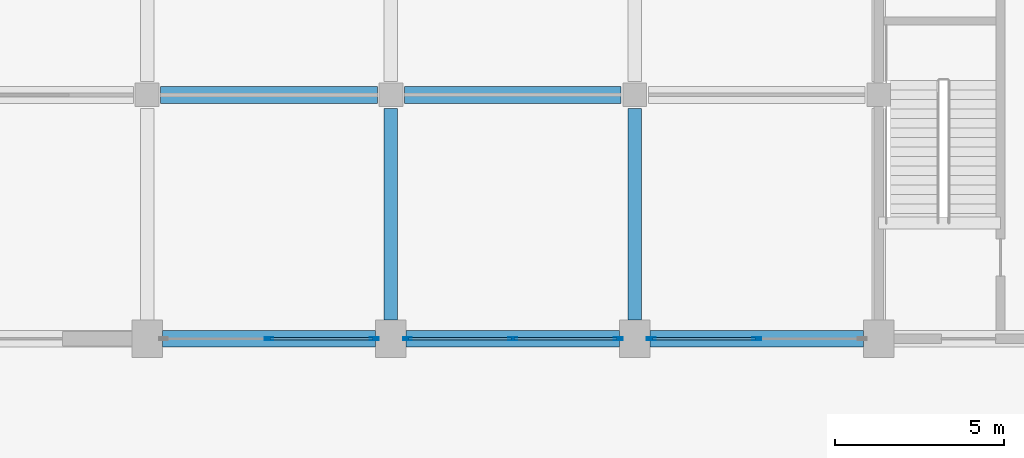
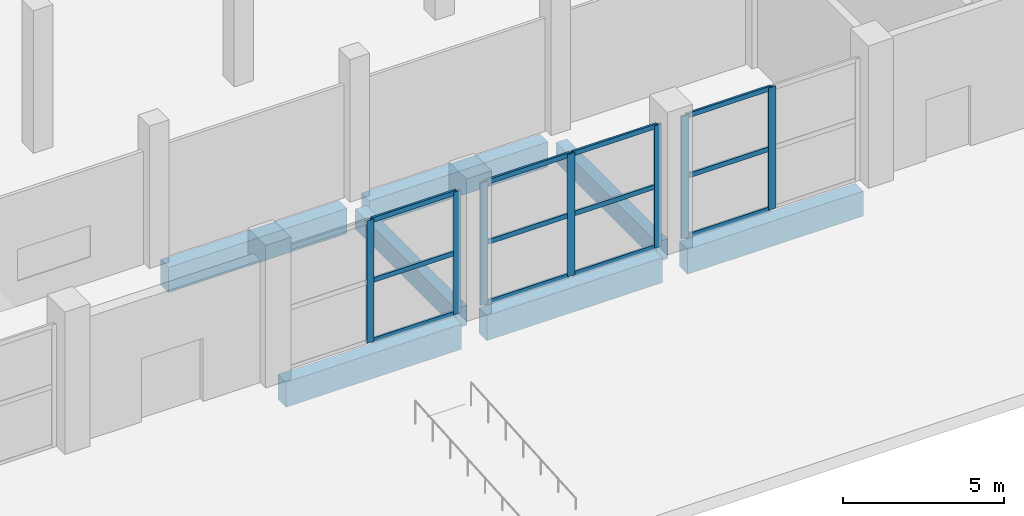
# One storey, part 6 of 70: 19 members, 7 beams, 3 elements without a shape of their own.
"""IFC4 building model written with IfcOpenShell, lengths in metres."""

from ifc_helpers import new_model, si_unit, direction, frame, origin, origin_2d, place, context, subcontext, project, spatial, rectangle, hollow_rectangle, extrude, material, material_profile, profile_set, type_object, element, aggregate, save


model = new_model("IFC4")

# Units and contexts
model_context = context("Model", 3, precision=1e-05, world=origin(), true_north=direction((0.0, 1.0)))
body_context = subcontext(model_context, "Body", "Model", "MODEL_VIEW")
ifc_project = project(units=[si_unit("LENGTHUNIT", "METRE"), si_unit("AREAUNIT", "SQUARE_METRE"), si_unit("VOLUMEUNIT", "CUBIC_METRE"), si_unit("PLANEANGLEUNIT", "RADIAN"), si_unit("MASSUNIT", "GRAM", prefix="KILO")], contexts=[model_context])

# Site, building, storey
site_placement = place(None, origin())
site = spatial("IfcSite", under=ifc_project, at=site_placement, CompositionType="ELEMENT")
building_placement = place(site_placement, origin())
building = spatial("IfcBuilding", under=site, at=building_placement, Name="Vesperath Aquatics Centre", CompositionType="ELEMENT")
storey_placement = place(building_placement, origin())
storey = spatial("IfcBuildingStorey", under=building, at=storey_placement, Name="L00", CompositionType="ELEMENT", Elevation=0.0)

# Beams
ifc_material_1 = material(Name="Concrete C40", Category="concrete")
ifc_material_profile_1 = material_profile(ifc_material_1, rectangle(XDim=0.5, YDim=0.949951171875, at=origin_2d()), Name="RC 500x950")
ifc_profile_set_1 = profile_set([ifc_material_profile_1], Name="Concrete C40")
beam_type_1 = type_object("IfcBeamType", Name="BM-G02", PredefinedType="BEAM", material=ifc_profile_set_1)
beam_1_placement = place(storey_placement, frame((29.25, 14.39990234375, -0.7548828125), z_axis=(1.0, 0.0, 0.0), x_axis=(0.0, 1.0, 0.0)))
element("IfcBeam", 1, at=beam_1_placement, inside=storey, type_object=beam_type_1, Name="Floor Girder B02 L00 C 5-6", PredefinedType="BEAM", context=body_context, shape_type="SweptSolid", body=[
    extrude(rectangle(XDim=0.5, YDim=0.949951171875, at=origin_2d()), origin(), (0.0, 0.0, 1.0), 6.300048828125),
])
beam_2_placement = place(storey_placement, frame((29.199951171875, 21.60009765625, -0.7548828125), z_axis=(1.0, 0.0, 0.0), x_axis=(0.0, 1.0, 0.0)))
element("IfcBeam", 2, at=beam_2_placement, inside=storey, type_object=beam_type_1, Name="Floor Girder B02 L00 D 5-6", PredefinedType="BEAM", context=body_context, shape_type="SweptSolid", body=[
    extrude(rectangle(XDim=0.5, YDim=0.949951171875, at=origin_2d()), origin(), (0.0, 0.0, 1.0), 6.400146484375),
])
beam_3_placement = place(storey_placement, frame((36.449951171875, 14.39990234375, -0.7548828125), z_axis=(1.0, 0.0, 0.0), x_axis=(0.0, 1.0, 0.0)))
element("IfcBeam", 3, at=beam_3_placement, inside=storey, type_object=beam_type_1, Name="Floor Girder B02 L00 C 6-7", PredefinedType="BEAM", context=body_context, shape_type="SweptSolid", body=[
    extrude(rectangle(XDim=0.5, YDim=0.949951171875, at=origin_2d()), origin(), (0.0, 0.0, 1.0), 6.300048828125),
])
beam_4_placement = place(storey_placement, frame((36.39990234375, 21.60009765625, -0.7548828125), z_axis=(1.0, 0.0, 0.0), x_axis=(0.0, 1.0, 0.0)))
element("IfcBeam", 4, at=beam_4_placement, inside=storey, type_object=beam_type_1, Name="Floor Girder B02 L00 D 6-7", PredefinedType="BEAM", context=body_context, shape_type="SweptSolid", body=[
    extrude(rectangle(XDim=0.5, YDim=0.949951171875, at=origin_2d()), origin(), (0.0, 0.0, 1.0), 6.400146484375),
])
beam_5_placement = place(storey_placement, frame((43.64990234375, 14.39990234375, -0.7548828125), z_axis=(1.0, 0.0, 0.0), x_axis=(0.0, 1.0, 0.0)))
element("IfcBeam", 5, at=beam_5_placement, inside=storey, type_object=beam_type_1, Name="Floor Girder B02 L00 C 7-8", PredefinedType="BEAM", context=body_context, shape_type="SweptSolid", body=[
    extrude(rectangle(XDim=0.5, YDim=0.949951171875, at=origin_2d()), origin(), (0.0, 0.0, 1.0), 6.300048828125),
])
ifc_material_2 = material(Name="Concrete C35", Category="concrete")
ifc_material_profile_2 = material_profile(ifc_material_2, rectangle(XDim=0.39990234375, YDim=0.75, at=origin_2d()), Name="RC 400x750")
ifc_profile_set_2 = profile_set([ifc_material_profile_2], Name="Concrete C35")
beam_type_2 = type_object("IfcBeamType", Name="BM-G04", PredefinedType="BEAM", material=ifc_profile_set_2)
for number, where, z_axis, x_axis, name in (
    (6, (36.0, 14.949951171875, -0.655029296875), (0.0, 1.0, 0.0), (-1.0, 0.0, 0.0), "Floor Girder B04 L00 6 C-D"),
    (7, (43.199951171875, 14.949951171875, -0.655029296875), (0.0, 1.0, 0.0), (-1.0, 0.0, 0.0), "Floor Girder B04 L00 7 C-D"),
):
    element("IfcBeam", number, at=place(storey_placement, frame(where, z_axis=z_axis, x_axis=x_axis)), inside=storey, type_object=beam_type_2, Name=name, PredefinedType="BEAM", context=body_context, shape_type="SweptSolid", body=[
        extrude(rectangle(XDim=0.39990234375, YDim=0.75, at=origin_2d()), origin(), (0.0, 0.0, 1.0), 6.25),
    ])

# Curtain wall, members
ifc_material_3 = material(Name="Thermally broken anodised bronze aluminium curtain wall", Category="aluminium")
curtain_wall_type = type_object("IfcCurtainWallType", Name="CW-01", PredefinedType="NOTDEFINED", material=ifc_material_3)
curtain_wall_1_placement = place(storey_placement, origin())
curtain_wall_1 = element("IfcCurtainWall", 8, at=curtain_wall_1_placement, inside=storey, type_object=curtain_wall_type, Name="Facade Curtain Wall CW01 L00_S_04_02", PredefinedType="NOTDEFINED")
ifc_material_4 = material(Name="Thermally broken anodised aluminium", Category="aluminium")
ifc_material_profile_3 = material_profile(ifc_material_4, hollow_rectangle(XDim=0.074951171875, YDim=0.260009765625, WallThickness=0.006103515625, at=origin_2d()), Name="CWM 75x260x6")
ifc_profile_set_3 = profile_set([ifc_material_profile_3], Name="Thermally broken anodised aluminium")
member_type_1 = type_object("IfcMemberType", Name="MB-CWM1", PredefinedType="MULLION", material=ifc_profile_set_3)
member_1_placement = place(storey_placement, frame((32.39990234375, 14.39990234375, 0.0), z_axis=(0.0, 0.0, 1.0), x_axis=(0.0, 1.0, 0.0)))
member_1 = element("IfcMember", 9, at=member_1_placement, type_object=member_type_1, Name="CW01 mullion 2", PredefinedType="MULLION", context=body_context, shape_type="SweptSolid", body=[
    extrude(hollow_rectangle(XDim=0.074951171875, YDim=0.260009765625, WallThickness=0.006103515625, at=origin_2d()), origin(), (0.0, 0.0, 1.0), 4.639892578125),
])
member_2_placement = place(storey_placement, frame((35.512451171875, 14.39990234375, 0.0), z_axis=(0.0, 0.0, 1.0), x_axis=(0.0, 1.0, 0.0)))
member_2 = element("IfcMember", 10, at=member_2_placement, type_object=member_type_1, Name="CW01 mullion 3", PredefinedType="MULLION", context=body_context, shape_type="SweptSolid", body=[
    extrude(hollow_rectangle(XDim=0.074951171875, YDim=0.260009765625, WallThickness=0.006103515625, at=origin_2d()), origin(), (0.0, 0.0, 1.0), 4.639892578125),
])

curtain_wall_2_placement = place(storey_placement, origin())
curtain_wall_2 = element("IfcCurtainWall", 11, at=curtain_wall_2_placement, inside=storey, type_object=curtain_wall_type, Name="Facade Curtain Wall CW01 L00_S_05_02", PredefinedType="NOTDEFINED")
member_3_placement = place(storey_placement, frame((36.487548828125, 14.39990234375, 0.0), z_axis=(0.0, 0.0, 1.0), x_axis=(0.0, 1.0, 0.0)))
member_3 = element("IfcMember", 12, at=member_3_placement, type_object=member_type_1, Name="CW01 mullion 1", PredefinedType="MULLION", context=body_context, shape_type="SweptSolid", body=[
    extrude(hollow_rectangle(XDim=0.074951171875, YDim=0.260009765625, WallThickness=0.006103515625, at=origin_2d()), origin(), (0.0, 0.0, 1.0), 4.639892578125),
])
member_4_placement = place(storey_placement, frame((39.60009765625, 14.39990234375, 0.0), z_axis=(0.0, 0.0, 1.0), x_axis=(0.0, 1.0, 0.0)))
member_4 = element("IfcMember", 13, at=member_4_placement, type_object=member_type_1, Name="CW01 mullion 2", PredefinedType="MULLION", context=body_context, shape_type="SweptSolid", body=[
    extrude(hollow_rectangle(XDim=0.074951171875, YDim=0.260009765625, WallThickness=0.006103515625, at=origin_2d()), origin(), (0.0, 0.0, 1.0), 4.639892578125),
])
member_5_placement = place(storey_placement, frame((42.71240234375, 14.39990234375, 0.0), z_axis=(0.0, 0.0, 1.0), x_axis=(0.0, 1.0, 0.0)))
member_5 = element("IfcMember", 14, at=member_5_placement, type_object=member_type_1, Name="CW01 mullion 3", PredefinedType="MULLION", context=body_context, shape_type="SweptSolid", body=[
    extrude(hollow_rectangle(XDim=0.074951171875, YDim=0.260009765625, WallThickness=0.006103515625, at=origin_2d()), origin(), (0.0, 0.0, 1.0), 4.639892578125),
])

curtain_wall_3_placement = place(storey_placement, origin())
curtain_wall_3 = element("IfcCurtainWall", 15, at=curtain_wall_3_placement, inside=storey, type_object=curtain_wall_type, Name="Facade Curtain Wall CW01 L00_S_06_02", PredefinedType="NOTDEFINED")
member_6_placement = place(storey_placement, frame((43.6875, 14.39990234375, 0.0), z_axis=(0.0, 0.0, 1.0), x_axis=(0.0, 1.0, 0.0)))
member_6 = element("IfcMember", 16, at=member_6_placement, type_object=member_type_1, Name="CW01 mullion 1", PredefinedType="MULLION", context=body_context, shape_type="SweptSolid", body=[
    extrude(hollow_rectangle(XDim=0.074951171875, YDim=0.260009765625, WallThickness=0.006103515625, at=origin_2d()), origin(), (0.0, 0.0, 1.0), 4.639892578125),
])
member_7_placement = place(storey_placement, frame((46.800048828125, 14.39990234375, 0.0), z_axis=(0.0, 0.0, 1.0), x_axis=(0.0, 1.0, 0.0)))
member_7 = element("IfcMember", 17, at=member_7_placement, type_object=member_type_1, Name="CW01 mullion 2", PredefinedType="MULLION", context=body_context, shape_type="SweptSolid", body=[
    extrude(hollow_rectangle(XDim=0.074951171875, YDim=0.260009765625, WallThickness=0.006103515625, at=origin_2d()), origin(), (0.0, 0.0, 1.0), 4.639892578125),
])

# Member
ifc_material_profile_4 = material_profile(ifc_material_4, hollow_rectangle(XDim=0.074951171875, YDim=0.179931640625, WallThickness=0.0048828125, at=origin_2d()), Name="CWT 75x180x5")
ifc_profile_set_4 = profile_set([ifc_material_profile_4], Name="Thermally broken anodised aluminium")
member_type_2 = type_object("IfcMemberType", Name="MB-CWT1", PredefinedType="USERDEFINED", material=ifc_profile_set_4)
member_8_placement = place(storey_placement, frame((32.4375, 14.39990234375, 0.03759765625), z_axis=(1.0, 0.0, 0.0), x_axis=(0.0, 1.0, 0.0)))
member_8 = element("IfcMember", 18, at=member_8_placement, type_object=member_type_2, Name="CW01 transom 2.1", ObjectType="TRANSOM", PredefinedType="USERDEFINED", context=body_context, shape_type="SweptSolid", body=[
    extrude(hollow_rectangle(XDim=0.074951171875, YDim=0.179931640625, WallThickness=0.0048828125, at=origin_2d()), origin(), (0.0, 0.0, 1.0), 3.03759765625),
])

member_9_placement = place(storey_placement, frame((32.4375, 14.39990234375, 2.320068359375), z_axis=(1.0, 0.0, 0.0), x_axis=(0.0, 1.0, 0.0)))
member_9 = element("IfcMember", 19, at=member_9_placement, type_object=member_type_2, Name="CW01 transom 2.2", ObjectType="TRANSOM", PredefinedType="USERDEFINED", context=body_context, shape_type="SweptSolid", body=[
    extrude(hollow_rectangle(XDim=0.074951171875, YDim=0.179931640625, WallThickness=0.0048828125, at=origin_2d()), origin(), (0.0, 0.0, 1.0), 3.03759765625),
])

member_10_placement = place(storey_placement, frame((32.4375, 14.39990234375, 4.6025390625), z_axis=(1.0, 0.0, 0.0), x_axis=(0.0, 1.0, 0.0)))
member_10 = element("IfcMember", 20, at=member_10_placement, type_object=member_type_2, Name="CW01 transom 2.3", ObjectType="TRANSOM", PredefinedType="USERDEFINED", context=body_context, shape_type="SweptSolid", body=[
    extrude(hollow_rectangle(XDim=0.074951171875, YDim=0.179931640625, WallThickness=0.0048828125, at=origin_2d()), origin(), (0.0, 0.0, 1.0), 3.03759765625),
])

aggregate(curtain_wall_1, [member_1, member_2, member_8, member_9, member_10])

member_11_placement = place(storey_placement, frame((36.52490234375, 14.39990234375, 0.03759765625), z_axis=(1.0, 0.0, 0.0), x_axis=(0.0, 1.0, 0.0)))
member_11 = element("IfcMember", 21, at=member_11_placement, type_object=member_type_2, Name="CW01 transom 1.1", ObjectType="TRANSOM", PredefinedType="USERDEFINED", context=body_context, shape_type="SweptSolid", body=[
    extrude(hollow_rectangle(XDim=0.074951171875, YDim=0.179931640625, WallThickness=0.0048828125, at=origin_2d()), origin(), (0.0, 0.0, 1.0), 3.03759765625),
])

member_12_placement = place(storey_placement, frame((36.52490234375, 14.39990234375, 2.320068359375), z_axis=(1.0, 0.0, 0.0), x_axis=(0.0, 1.0, 0.0)))
member_12 = element("IfcMember", 22, at=member_12_placement, type_object=member_type_2, Name="CW01 transom 1.2", ObjectType="TRANSOM", PredefinedType="USERDEFINED", context=body_context, shape_type="SweptSolid", body=[
    extrude(hollow_rectangle(XDim=0.074951171875, YDim=0.179931640625, WallThickness=0.0048828125, at=origin_2d()), origin(), (0.0, 0.0, 1.0), 3.03759765625),
])

member_13_placement = place(storey_placement, frame((36.52490234375, 14.39990234375, 4.6025390625), z_axis=(1.0, 0.0, 0.0), x_axis=(0.0, 1.0, 0.0)))
member_13 = element("IfcMember", 23, at=member_13_placement, type_object=member_type_2, Name="CW01 transom 1.3", ObjectType="TRANSOM", PredefinedType="USERDEFINED", context=body_context, shape_type="SweptSolid", body=[
    extrude(hollow_rectangle(XDim=0.074951171875, YDim=0.179931640625, WallThickness=0.0048828125, at=origin_2d()), origin(), (0.0, 0.0, 1.0), 3.03759765625),
])

member_14_placement = place(storey_placement, frame((39.637451171875, 14.39990234375, 0.03759765625), z_axis=(1.0, 0.0, 0.0), x_axis=(0.0, 1.0, 0.0)))
member_14 = element("IfcMember", 24, at=member_14_placement, type_object=member_type_2, Name="CW01 transom 2.1", ObjectType="TRANSOM", PredefinedType="USERDEFINED", context=body_context, shape_type="SweptSolid", body=[
    extrude(hollow_rectangle(XDim=0.074951171875, YDim=0.179931640625, WallThickness=0.0048828125, at=origin_2d()), origin(), (0.0, 0.0, 1.0), 3.03759765625),
])

member_15_placement = place(storey_placement, frame((39.637451171875, 14.39990234375, 2.320068359375), z_axis=(1.0, 0.0, 0.0), x_axis=(0.0, 1.0, 0.0)))
member_15 = element("IfcMember", 25, at=member_15_placement, type_object=member_type_2, Name="CW01 transom 2.2", ObjectType="TRANSOM", PredefinedType="USERDEFINED", context=body_context, shape_type="SweptSolid", body=[
    extrude(hollow_rectangle(XDim=0.074951171875, YDim=0.179931640625, WallThickness=0.0048828125, at=origin_2d()), origin(), (0.0, 0.0, 1.0), 3.03759765625),
])

member_16_placement = place(storey_placement, frame((39.637451171875, 14.39990234375, 4.6025390625), z_axis=(1.0, 0.0, 0.0), x_axis=(0.0, 1.0, 0.0)))
member_16 = element("IfcMember", 26, at=member_16_placement, type_object=member_type_2, Name="CW01 transom 2.3", ObjectType="TRANSOM", PredefinedType="USERDEFINED", context=body_context, shape_type="SweptSolid", body=[
    extrude(hollow_rectangle(XDim=0.074951171875, YDim=0.179931640625, WallThickness=0.0048828125, at=origin_2d()), origin(), (0.0, 0.0, 1.0), 3.03759765625),
])

aggregate(curtain_wall_2, [member_3, member_4, member_5, member_11, member_12, member_13, member_14, member_15, member_16])

member_17_placement = place(storey_placement, frame((43.72509765625, 14.39990234375, 0.03759765625), z_axis=(1.0, 0.0, 0.0), x_axis=(0.0, 1.0, 0.0)))
member_17 = element("IfcMember", 27, at=member_17_placement, type_object=member_type_2, Name="CW01 transom 1.1", ObjectType="TRANSOM", PredefinedType="USERDEFINED", context=body_context, shape_type="SweptSolid", body=[
    extrude(hollow_rectangle(XDim=0.074951171875, YDim=0.179931640625, WallThickness=0.0048828125, at=origin_2d()), origin(), (0.0, 0.0, 1.0), 3.037353515625),
])

member_18_placement = place(storey_placement, frame((43.72509765625, 14.39990234375, 2.320068359375), z_axis=(1.0, 0.0, 0.0), x_axis=(0.0, 1.0, 0.0)))
member_18 = element("IfcMember", 28, at=member_18_placement, type_object=member_type_2, Name="CW01 transom 1.2", ObjectType="TRANSOM", PredefinedType="USERDEFINED", context=body_context, shape_type="SweptSolid", body=[
    extrude(hollow_rectangle(XDim=0.074951171875, YDim=0.179931640625, WallThickness=0.0048828125, at=origin_2d()), origin(), (0.0, 0.0, 1.0), 3.037353515625),
])

member_19_placement = place(storey_placement, frame((43.72509765625, 14.39990234375, 4.6025390625), z_axis=(1.0, 0.0, 0.0), x_axis=(0.0, 1.0, 0.0)))
member_19 = element("IfcMember", 29, at=member_19_placement, type_object=member_type_2, Name="CW01 transom 1.3", ObjectType="TRANSOM", PredefinedType="USERDEFINED", context=body_context, shape_type="SweptSolid", body=[
    extrude(hollow_rectangle(XDim=0.074951171875, YDim=0.179931640625, WallThickness=0.0048828125, at=origin_2d()), origin(), (0.0, 0.0, 1.0), 3.037353515625),
])

aggregate(curtain_wall_3, [member_6, member_7, member_17, member_18, member_19])

save(model, "model.ifc")
